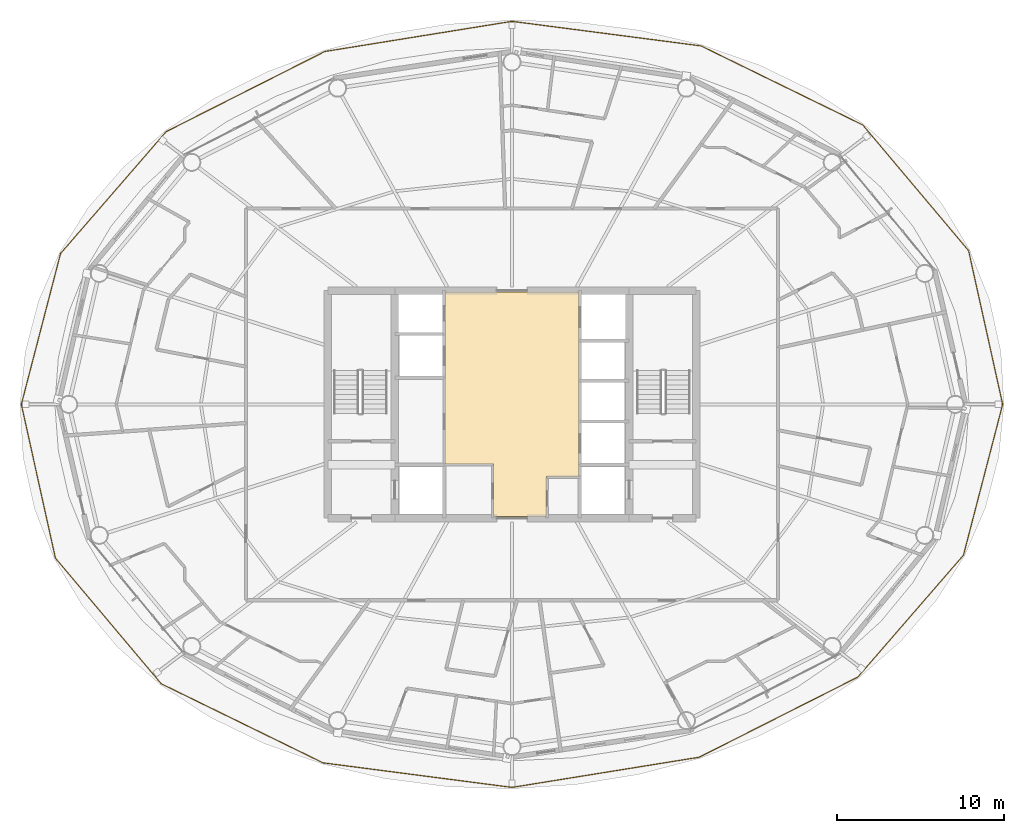
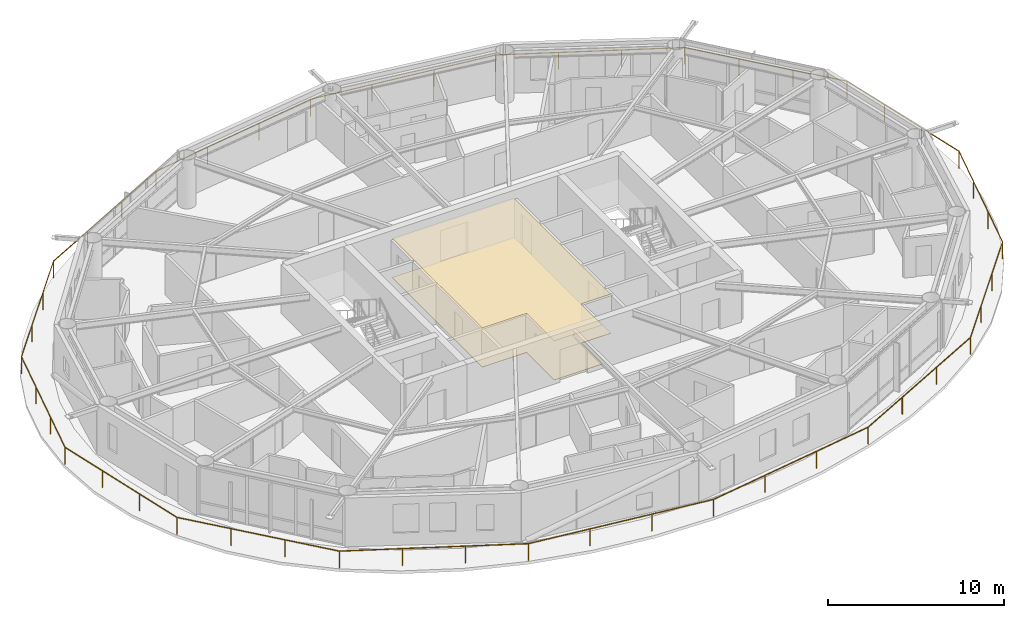
# One storey, part 29 of 30: 2 coverings, 1 railing.
"""IFC4 building model written with IfcOpenShell, lengths in metres."""

from ifc_helpers import new_model, si_unit, direction, frame, origin, origin_2d, place, context, subcontext, project, spatial, polyline, rectangle, outline, extrude, material, layer, layer_set, type_object, element, save


model = new_model("IFC4")

# Units and contexts
model_context = context("Model", 3, precision=1e-05, world=origin(), true_north=direction((0.0, 1.0)))
body_context = subcontext(model_context, "Body", "Model", "MODEL_VIEW")
ifc_project = project(units=[si_unit("LENGTHUNIT", "METRE"), si_unit("AREAUNIT", "SQUARE_METRE"), si_unit("VOLUMEUNIT", "CUBIC_METRE"), si_unit("PLANEANGLEUNIT", "RADIAN"), si_unit("MASSUNIT", "GRAM", prefix="KILO")], contexts=[model_context])

# Site, building, storey
site_placement = place(None, origin())
site = spatial("IfcSite", under=ifc_project, at=site_placement, CompositionType="ELEMENT")
building_placement = place(site_placement, origin())
building = spatial("IfcBuilding", under=site, at=building_placement, Name="Sarneth Arch Tower", CompositionType="ELEMENT")
storey_placement = place(building_placement, frame((0.0, 0.0, 161.39990234375)))
storey = spatial("IfcBuildingStorey", under=building, at=storey_placement, Name="L40", CompositionType="ELEMENT", Elevation=161.39990234375)

# Coverings
ifc_material_1 = material(Name="Perforated acoustic gypsum ceiling board")
ifc_layer_1 = layer(ifc_material_1, 0.02490234375)
ifc_layer_set_1 = layer_set([ifc_layer_1], Name="Perforated acoustic gypsum ceiling board")
covering_type_1 = type_object("IfcCoveringType", Name="COV-CEIL-GYP", PredefinedType="CEILING", material=ifc_layer_set_1)
covering_1_placement = place(storey_placement, frame((0.0, 0.0, 2.710205078125)))
element("IfcCovering", 1, at=covering_1_placement, inside=storey, type_object=covering_type_1, Name="L40 Lift lobby acoustic ceiling", PredefinedType="CEILING", context=body_context, shape_type="SweptSolid", body=[
    extrude(outline(polyline([(52.0, 37.699951171875), (50.050048828125, 37.699951171875), (50.050048828125, 35.300048828125), (46.89990234375, 35.300048828125), (46.89990234375, 38.449951171875), (44.0, 38.449951171875), (44.0, 48.699951171875), (52.0, 48.699951171875), (52.0, 37.699951171875)])), origin(), (0.0, 0.0, 1.0), 0.02978515625),
])
ifc_material_2 = material(Name="Honed granite stone flooring", Category="masonry")
ifc_layer_2 = layer(ifc_material_2, 0.030029296875)
ifc_layer_set_2 = layer_set([ifc_layer_2], Name="Honed granite stone flooring")
covering_type_2 = type_object("IfcCoveringType", Name="COV-FLR-STONE", PredefinedType="FLOORING", material=ifc_layer_set_2)
covering_2_placement = place(storey_placement, origin())
element("IfcCovering", 2, at=covering_2_placement, inside=storey, type_object=covering_type_2, Name="L40 Lift lobby granite flooring", PredefinedType="FLOORING", context=body_context, shape_type="SweptSolid", body=[
    extrude(outline(polyline([(52.0, 37.699951171875), (50.050048828125, 37.699951171875), (50.050048828125, 35.300048828125), (46.89990234375, 35.300048828125), (46.89990234375, 38.449951171875), (44.0, 38.449951171875), (44.0, 48.699951171875), (52.0, 48.699951171875), (52.0, 37.699951171875)])), origin(), (0.0, 0.0, 1.0), 0.030029296875),
])

# Railing
ifc_material_3 = material(Name="Laminated structural glass infill with Stainless Steel 316 top rail and posts", Category="steel")
railing_type = type_object("IfcRailingType", Name="RAIL-BALC-1200", PredefinedType="BALUSTRADE", material=ifc_material_3)
railing_placement = place(storey_placement, frame((77.317138671875, 42.0, 0.0)))
element("IfcRailing", 3, at=railing_placement, inside=storey, type_object=railing_type, Name="L40 Helical balcony glass balustrade", PredefinedType="BALUSTRADE", context=body_context, shape_type="SweptSolid", body=[
    extrude(rectangle(XDim=0.048095703125, YDim=0.048095703125, at=origin_2d()), frame((0.0, 0.0, 1.17578125), z_axis=(-0.216389028204, 0.976307220332, 0.0), x_axis=(-0.976307220332, -0.216389028204, 0.0)), (0.0, 0.0, 1.0), 9.40625),
    extrude(rectangle(XDim=0.048095703125, YDim=0.048095703125, at=origin_2d()), frame((-2.035400390625, 9.183349609375, 1.17578125), z_axis=(-0.643955767775, 0.765062722363, 0.0), x_axis=(-0.765062722363, -0.643955767775, 0.0)), (0.0, 0.0, 1.0), 9.8173828125),
    extrude(rectangle(XDim=0.048095703125, YDim=0.048095703125, at=origin_2d()), frame((-8.357421875, 16.6943359375, 1.17578125), z_axis=(-0.898465323536, 0.439044487956, 0.0), x_axis=(-0.439044487956, -0.898465323536, 0.0)), (0.0, 0.0, 1.0), 10.759521484375),
    extrude(rectangle(XDim=0.048095703125, YDim=0.048095703125, at=origin_2d()), frame((-18.0244140625, 21.418212890625, 1.17578125), z_axis=(-0.991658768904, 0.128890985162, 0.0), x_axis=(-0.128890985162, -0.991658768904, 0.0)), (0.0, 0.0, 1.0), 11.3876953125),
    extrude(rectangle(XDim=0.048095703125, YDim=0.048095703125, at=origin_2d()), frame((-29.317138671875, 22.885986328125, 1.17578125), z_axis=(-0.987251169892, -0.159170121403, 0.0), x_axis=(0.159170121403, -0.987251169892, 0.0)), (0.0, 0.0, 1.0), 11.33203125),
    extrude(rectangle(XDim=0.048095703125, YDim=0.048095703125, at=origin_2d()), frame((-40.504638671875, 21.082275390625, 1.17578125), z_axis=(-0.89256540828, -0.45091794369, 0.0), x_axis=(0.45091794369, -0.89256540828, 0.0)), (0.0, 0.0, 1.0), 10.613037109375),
    extrude(rectangle(XDim=0.048095703125, YDim=0.048095703125, at=origin_2d()), frame((-49.9775390625, 16.296630859375, 1.17578125), z_axis=(-0.654952713498, -0.755669863818, 0.0), x_axis=(0.755669863818, -0.654952713498, 0.0)), (0.0, 0.0, 1.0), 9.640380859375),
    extrude(rectangle(XDim=0.048095703125, YDim=0.048095703125, at=origin_2d()), frame((-56.29150390625, 9.01171875, 1.17578125), z_axis=(-0.251606344817, -0.967829658178, 0.0), x_axis=(0.967829658178, -0.251606344817, 0.0)), (0.0, 0.0, 1.0), 9.311279296875),
    extrude(rectangle(XDim=0.048095703125, YDim=0.048095703125, at=origin_2d()), frame((-58.63427734375, 0.0, 1.17578125), z_axis=(0.216389028204, -0.976307220332, 0.0), x_axis=(0.976307220332, 0.216389028204, 0.0)), (0.0, 0.0, 1.0), 9.40625),
    extrude(rectangle(XDim=0.048095703125, YDim=0.048095703125, at=origin_2d()), frame((-56.598876953125, -9.183349609375, 1.17578125), z_axis=(0.643955767775, -0.765062722363, 0.0), x_axis=(0.765062722363, 0.643955767775, 0.0)), (0.0, 0.0, 1.0), 9.8173828125),
    extrude(rectangle(XDim=0.048095703125, YDim=0.048095703125, at=origin_2d()), frame((-50.27685546875, -16.6943359375, 1.17578125), z_axis=(0.898465323536, -0.439044487956, 0.0), x_axis=(0.439044487956, 0.898465323536, 0.0)), (0.0, 0.0, 1.0), 10.759521484375),
    extrude(rectangle(XDim=0.048095703125, YDim=0.048095703125, at=origin_2d()), frame((-40.60986328125, -21.418212890625, 1.17578125), z_axis=(0.991658768904, -0.128890985162, 0.0), x_axis=(0.128890985162, 0.991658768904, 0.0)), (0.0, 0.0, 1.0), 11.3876953125),
    extrude(rectangle(XDim=0.048095703125, YDim=0.048095703125, at=origin_2d()), frame((-29.317138671875, -22.885986328125, 1.17578125), z_axis=(0.987251169892, 0.159170121403, 0.0), x_axis=(-0.159170121403, 0.987251169892, 0.0)), (0.0, 0.0, 1.0), 11.33203125),
    extrude(rectangle(XDim=0.048095703125, YDim=0.048095703125, at=origin_2d()), frame((-18.129638671875, -21.082275390625, 1.17578125), z_axis=(0.89256540828, 0.45091794369, 0.0), x_axis=(-0.45091794369, 0.89256540828, 0.0)), (0.0, 0.0, 1.0), 10.613037109375),
    extrude(rectangle(XDim=0.048095703125, YDim=0.048095703125, at=origin_2d()), frame((-8.65673828125, -16.296630859375, 1.17578125), z_axis=(0.654952713498, 0.755669863818, 0.0), x_axis=(-0.755669863818, 0.654952713498, 0.0)), (0.0, 0.0, 1.0), 9.640380859375),
    extrude(rectangle(XDim=0.048095703125, YDim=0.048095703125, at=origin_2d()), frame((-2.3427734375, -9.01171875, 1.17578125), z_axis=(0.251606344817, 0.967829658178, 0.0), x_axis=(-0.967829658178, 0.251606344817, 0.0)), (0.0, 0.0, 1.0), 9.311279296875),
    extrude(rectangle(XDim=0.0419921875, YDim=0.0419921875, at=origin_2d()), origin(), (0.0, 0.0, 1.0), 1.15185546875),
    extrude(rectangle(XDim=0.0419921875, YDim=0.0419921875, at=origin_2d()), frame((-0.678466796875, 3.06103515625, 0.0)), (0.0, 0.0, 1.0), 1.15185546875),
    extrude(rectangle(XDim=0.0419921875, YDim=0.0419921875, at=origin_2d()), frame((-1.35693359375, 6.122314453125, 0.0)), (0.0, 0.0, 1.0), 1.15185546875),
    extrude(rectangle(XDim=0.0419921875, YDim=0.0419921875, at=origin_2d()), frame((-2.035400390625, 9.183349609375, 0.0)), (0.0, 0.0, 1.0), 1.15185546875),
    extrude(rectangle(XDim=0.0419921875, YDim=0.0419921875, at=origin_2d()), frame((-4.142822265625, 11.68701171875, 0.0)), (0.0, 0.0, 1.0), 1.15185546875),
    extrude(rectangle(XDim=0.0419921875, YDim=0.0419921875, at=origin_2d()), frame((-6.25, 14.190673828125, 0.0)), (0.0, 0.0, 1.0), 1.15185546875),
    extrude(rectangle(XDim=0.0419921875, YDim=0.0419921875, at=origin_2d()), frame((-8.357421875, 16.6943359375, 0.0)), (0.0, 0.0, 1.0), 1.15185546875),
    extrude(rectangle(XDim=0.0419921875, YDim=0.0419921875, at=origin_2d()), frame((-11.579833984375, 18.26904296875, 0.0)), (0.0, 0.0, 1.0), 1.15185546875),
    extrude(rectangle(XDim=0.0419921875, YDim=0.0419921875, at=origin_2d()), frame((-14.802001953125, 19.843505859375, 0.0)), (0.0, 0.0, 1.0), 1.15185546875),
    extrude(rectangle(XDim=0.0419921875, YDim=0.0419921875, at=origin_2d()), frame((-18.0244140625, 21.418212890625, 0.0)), (0.0, 0.0, 1.0), 1.15185546875),
    extrude(rectangle(XDim=0.0419921875, YDim=0.0419921875, at=origin_2d()), frame((-21.78857421875, 21.907470703125, 0.0)), (0.0, 0.0, 1.0), 1.15185546875),
    extrude(rectangle(XDim=0.0419921875, YDim=0.0419921875, at=origin_2d()), frame((-25.552978515625, 22.396728515625, 0.0)), (0.0, 0.0, 1.0), 1.15185546875),
    extrude(rectangle(XDim=0.0419921875, YDim=0.0419921875, at=origin_2d()), frame((-29.317138671875, 22.885986328125, 0.0)), (0.0, 0.0, 1.0), 1.15185546875),
    extrude(rectangle(XDim=0.0419921875, YDim=0.0419921875, at=origin_2d()), frame((-33.04638671875, 22.28466796875, 0.0)), (0.0, 0.0, 1.0), 1.15185546875),
    extrude(rectangle(XDim=0.0419921875, YDim=0.0419921875, at=origin_2d()), frame((-36.775390625, 21.68359375, 0.0)), (0.0, 0.0, 1.0), 1.15185546875),
    extrude(rectangle(XDim=0.0419921875, YDim=0.0419921875, at=origin_2d()), frame((-40.504638671875, 21.082275390625, 0.0)), (0.0, 0.0, 1.0), 1.15185546875),
    extrude(rectangle(XDim=0.0419921875, YDim=0.0419921875, at=origin_2d()), frame((-43.662353515625, 19.487060546875, 0.0)), (0.0, 0.0, 1.0), 1.15185546875),
    extrude(rectangle(XDim=0.0419921875, YDim=0.0419921875, at=origin_2d()), frame((-46.81982421875, 17.891845703125, 0.0)), (0.0, 0.0, 1.0), 1.15185546875),
    extrude(rectangle(XDim=0.0419921875, YDim=0.0419921875, at=origin_2d()), frame((-49.9775390625, 16.296630859375, 0.0)), (0.0, 0.0, 1.0), 1.15185546875),
    extrude(rectangle(XDim=0.0419921875, YDim=0.0419921875, at=origin_2d()), frame((-52.082275390625, 13.868408203125, 0.0)), (0.0, 0.0, 1.0), 1.15185546875),
    extrude(rectangle(XDim=0.0419921875, YDim=0.0419921875, at=origin_2d()), frame((-54.186767578125, 11.43994140625, 0.0)), (0.0, 0.0, 1.0), 1.15185546875),
    extrude(rectangle(XDim=0.0419921875, YDim=0.0419921875, at=origin_2d()), frame((-56.29150390625, 9.01171875, 0.0)), (0.0, 0.0, 1.0), 1.15185546875),
    extrude(rectangle(XDim=0.0419921875, YDim=0.0419921875, at=origin_2d()), frame((-57.072509765625, 6.0078125, 0.0)), (0.0, 0.0, 1.0), 1.15185546875),
    extrude(rectangle(XDim=0.0419921875, YDim=0.0419921875, at=origin_2d()), frame((-57.853271484375, 3.00390625, 0.0)), (0.0, 0.0, 1.0), 1.15185546875),
    extrude(rectangle(XDim=0.0419921875, YDim=0.0419921875, at=origin_2d()), frame((-58.63427734375, 0.0, 0.0)), (0.0, 0.0, 1.0), 1.15185546875),
    extrude(rectangle(XDim=0.0419921875, YDim=0.0419921875, at=origin_2d()), frame((-57.955810546875, -3.06103515625, 0.0)), (0.0, 0.0, 1.0), 1.15185546875),
    extrude(rectangle(XDim=0.0419921875, YDim=0.0419921875, at=origin_2d()), frame((-57.27734375, -6.122314453125, 0.0)), (0.0, 0.0, 1.0), 1.15185546875),
    extrude(rectangle(XDim=0.0419921875, YDim=0.0419921875, at=origin_2d()), frame((-56.598876953125, -9.183349609375, 0.0)), (0.0, 0.0, 1.0), 1.15185546875),
    extrude(rectangle(XDim=0.0419921875, YDim=0.0419921875, at=origin_2d()), frame((-54.491455078125, -11.68701171875, 0.0)), (0.0, 0.0, 1.0), 1.15185546875),
    extrude(rectangle(XDim=0.0419921875, YDim=0.0419921875, at=origin_2d()), frame((-52.38427734375, -14.190673828125, 0.0)), (0.0, 0.0, 1.0), 1.15185546875),
    extrude(rectangle(XDim=0.0419921875, YDim=0.0419921875, at=origin_2d()), frame((-50.27685546875, -16.6943359375, 0.0)), (0.0, 0.0, 1.0), 1.15185546875),
    extrude(rectangle(XDim=0.0419921875, YDim=0.0419921875, at=origin_2d()), frame((-47.054443359375, -18.26904296875, 0.0)), (0.0, 0.0, 1.0), 1.15185546875),
    extrude(rectangle(XDim=0.0419921875, YDim=0.0419921875, at=origin_2d()), frame((-43.832275390625, -19.843505859375, 0.0)), (0.0, 0.0, 1.0), 1.15185546875),
    extrude(rectangle(XDim=0.0419921875, YDim=0.0419921875, at=origin_2d()), frame((-40.60986328125, -21.418212890625, 0.0)), (0.0, 0.0, 1.0), 1.15185546875),
    extrude(rectangle(XDim=0.0419921875, YDim=0.0419921875, at=origin_2d()), frame((-36.845703125, -21.907470703125, 0.0)), (0.0, 0.0, 1.0), 1.15185546875),
    extrude(rectangle(XDim=0.0419921875, YDim=0.0419921875, at=origin_2d()), frame((-33.081298828125, -22.396728515625, 0.0)), (0.0, 0.0, 1.0), 1.15185546875),
    extrude(rectangle(XDim=0.0419921875, YDim=0.0419921875, at=origin_2d()), frame((-29.317138671875, -22.885986328125, 0.0)), (0.0, 0.0, 1.0), 1.15185546875),
    extrude(rectangle(XDim=0.0419921875, YDim=0.0419921875, at=origin_2d()), frame((-25.587890625, -22.28466796875, 0.0)), (0.0, 0.0, 1.0), 1.15185546875),
    extrude(rectangle(XDim=0.0419921875, YDim=0.0419921875, at=origin_2d()), frame((-21.85888671875, -21.68359375, 0.0)), (0.0, 0.0, 1.0), 1.15185546875),
    extrude(rectangle(XDim=0.0419921875, YDim=0.0419921875, at=origin_2d()), frame((-18.129638671875, -21.082275390625, 0.0)), (0.0, 0.0, 1.0), 1.15185546875),
    extrude(rectangle(XDim=0.0419921875, YDim=0.0419921875, at=origin_2d()), frame((-14.971923828125, -19.487060546875, 0.0)), (0.0, 0.0, 1.0), 1.15185546875),
    extrude(rectangle(XDim=0.0419921875, YDim=0.0419921875, at=origin_2d()), frame((-11.814453125, -17.891845703125, 0.0)), (0.0, 0.0, 1.0), 1.15185546875),
    extrude(rectangle(XDim=0.0419921875, YDim=0.0419921875, at=origin_2d()), frame((-8.65673828125, -16.296630859375, 0.0)), (0.0, 0.0, 1.0), 1.15185546875),
    extrude(rectangle(XDim=0.0419921875, YDim=0.0419921875, at=origin_2d()), frame((-6.552001953125, -13.868408203125, 0.0)), (0.0, 0.0, 1.0), 1.15185546875),
    extrude(rectangle(XDim=0.0419921875, YDim=0.0419921875, at=origin_2d()), frame((-4.447509765625, -11.43994140625, 0.0)), (0.0, 0.0, 1.0), 1.15185546875),
    extrude(rectangle(XDim=0.0419921875, YDim=0.0419921875, at=origin_2d()), frame((-2.3427734375, -9.01171875, 0.0)), (0.0, 0.0, 1.0), 1.15185546875),
    extrude(rectangle(XDim=0.0419921875, YDim=0.0419921875, at=origin_2d()), frame((-1.561767578125, -6.0078125, 0.0)), (0.0, 0.0, 1.0), 1.15185546875),
    extrude(rectangle(XDim=0.0419921875, YDim=0.0419921875, at=origin_2d()), frame((-0.781005859375, -3.00390625, 0.0)), (0.0, 0.0, 1.0), 1.15185546875),
])

save(model, "model.ifc")
